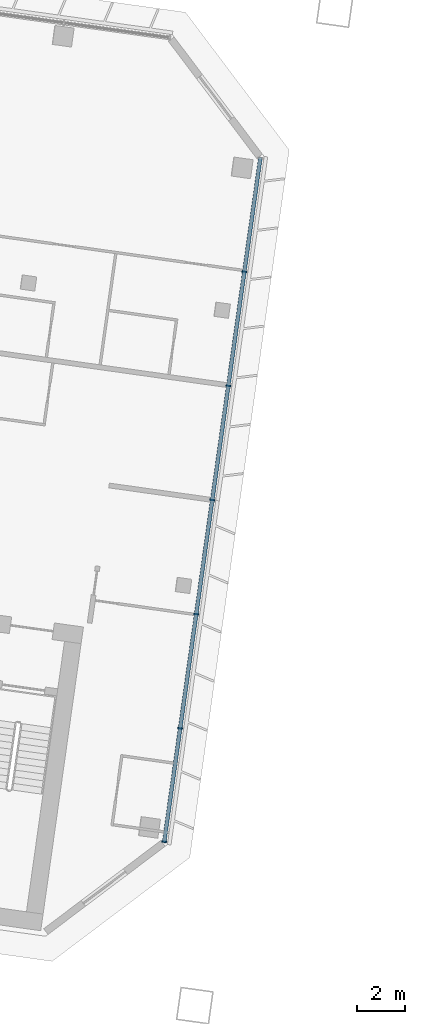
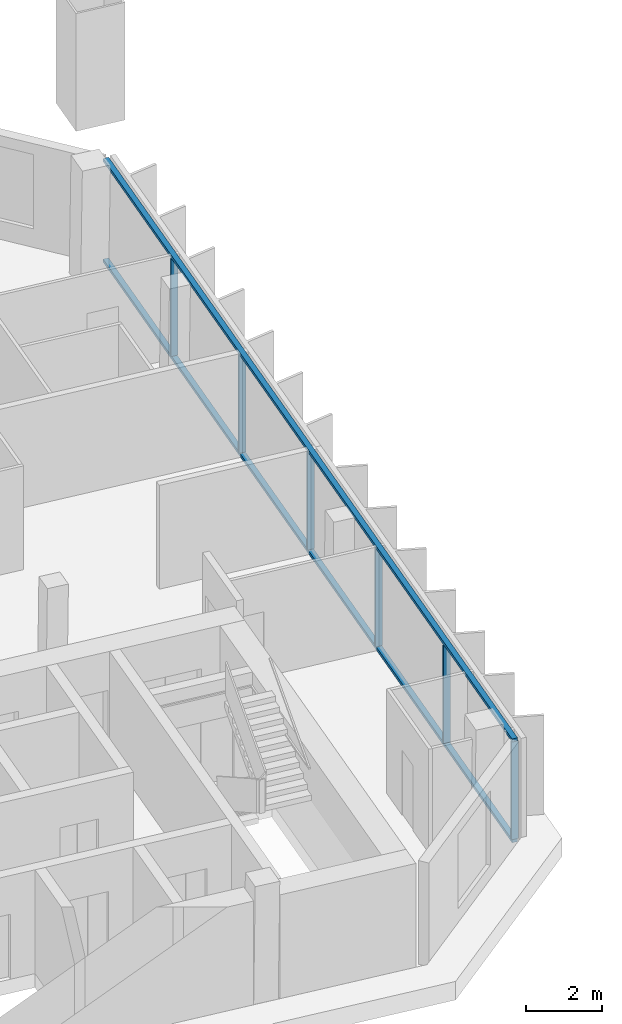
# One storey, part 7 of 31: 8 members, 1 element without a shape of its own.
"""IFC4 building model written with IfcOpenShell, lengths in metres."""

import ifcopenshell
import ifcopenshell.guid

model = None  # the IFC model being written
_history = None  # IfcOwnerHistory: only IFC2X3 demands one
_inside = {}  # id of a spatial element -> (the spatial element, [elements in it])
_under = {}  # id of a project, library or spatial element -> (it, [spatial elements below it])
_declared = {}  # id of a project -> (the project, [libraries it declares])
_typed = {}  # id of a type object -> (the type object, [elements of that type])
_made_of = {}  # id of a material, layer set ... -> (it, [elements and type objects made of it])


def new_model(schema):
    """Start an empty IFC model of exactly this schema.

    Asked for "IFC4X3", IfcOpenShell would pick the latest addendum, in which some entities
    have other attributes; the version numbers below select the first issue.
    IFC2X3 requires an IfcOwnerHistory on every rooted entity: one is made here for all.
    """
    global model, _history
    if schema == "IFC4X3":
        model = ifcopenshell.file(schema_version=(4, 3, 0, 0))
    else:
        model = ifcopenshell.file(schema=schema)
    _inside.clear()
    _under.clear()
    _declared.clear()
    _typed.clear()
    _made_of.clear()
    _history = None
    if model.schema == "IFC2X3":
        org = make("IfcOrganization", Name="unknown")
        user = make(
            "IfcPersonAndOrganization",
            ThePerson=make("IfcPerson", FamilyName="unknown"),
            TheOrganization=org,
        )
        app = make(
            "IfcApplication",
            ApplicationDeveloper=org,
            Version="unknown",
            ApplicationFullName="unknown",
            ApplicationIdentifier="unknown",
        )
        _history = make(
            "IfcOwnerHistory",
            OwningUser=user,
            OwningApplication=app,
            ChangeAction="ADDED",
            CreationDate=0,
        )
    return model


def make(cls, **values):
    """One entity of the class cls with the attributes given. An attribute that is None is left unset."""
    return model.create_entity(
        cls, **{name: value for name, value in values.items() if value is not None}
    )


def rooted(cls, **values):
    """An entity with a GlobalId (a new one), such as an element, a storey or a relation."""
    return make(cls, GlobalId=ifcopenshell.guid.new(), OwnerHistory=_history, **values)


def si_unit(unit_type, name, prefix=None):
    """IfcSIUnit, for example si_unit("LENGTHUNIT", "METRE", prefix="MILLI")."""
    return make("IfcSIUnit", UnitType=unit_type, Prefix=prefix, Name=name)


def assignment(units):
    """IfcUnitAssignment: the units of a project."""
    return None if units is None else make("IfcUnitAssignment", Units=units)


def point(xyz):
    """IfcCartesianPoint."""
    return None if xyz is None else make("IfcCartesianPoint", Coordinates=xyz)


def direction(xyz):
    """IfcDirection."""
    return None if xyz is None else make("IfcDirection", DirectionRatios=xyz)


def frame(location, z_axis=None, x_axis=None):
    """IfcAxis2Placement3D, a coordinate frame: its origin and axes. An axis left out is left unset."""
    return make(
        "IfcAxis2Placement3D",
        Location=point(location),
        Axis=direction(z_axis),
        RefDirection=direction(x_axis),
    )


def frame_2d(location, x_axis=None):
    """IfcAxis2Placement2D, a coordinate frame in the plane: its origin and x axis."""
    return make(
        "IfcAxis2Placement2D", Location=point(location), RefDirection=direction(x_axis)
    )


def origin():
    """The frame at (0, 0, 0) with its axes left unset."""
    return frame((0.0, 0.0, 0.0))


def origin_2d():
    """The frame at (0, 0) in the plane with its x axis left unset."""
    return frame_2d((0.0, 0.0))


def place(relative_to, where):
    """IfcLocalPlacement: puts the frame where relative to a parent placement (None: the world)."""
    return make(
        "IfcLocalPlacement", PlacementRelTo=relative_to, RelativePlacement=where
    )


def context(
    kind, dimensions, precision=None, world=None, true_north=None, identifier=None
):
    """IfcGeometricRepresentationContext, for example the 3D "Model" context."""
    return make(
        "IfcGeometricRepresentationContext",
        ContextIdentifier=identifier,
        ContextType=kind,
        CoordinateSpaceDimension=dimensions,
        Precision=precision,
        WorldCoordinateSystem=world,
        TrueNorth=true_north,
    )


def subcontext(parent, identifier, kind, view, scale=None):
    """IfcGeometricRepresentationSubContext, for example "Body" below "Model"."""
    return make(
        "IfcGeometricRepresentationSubContext",
        ContextIdentifier=identifier,
        ContextType=kind,
        ParentContext=parent,
        TargetScale=scale,
        TargetView=view,
    )


def project(units=None, contexts=None):
    """IfcProject with its units and contexts."""
    return rooted(
        "IfcProject",
        Name="project",
        RepresentationContexts=contexts,
        UnitsInContext=assignment(units),
    )


def spatial(cls, under=None, at=None, **own):
    """A site, building, storey or space (cls), placed at a placement, below another one or the project."""
    s = rooted(cls, ObjectPlacement=at, **own)
    if under is not None:
        _under.setdefault(under.id(), (under, []))[1].append(s)
    return s


def profile(cls, at=None, kind="AREA", **sizes):
    """A parametric profile (cls). Its sizes go by their IFC names, for example OverallWidth=200.0."""
    return make(cls, ProfileType=kind, Position=at, **sizes)


def rectangle(**sizes):
    """IfcRectangleProfileDef."""
    return profile("IfcRectangleProfileDef", **sizes)


def extrude(swept, where, along, depth):
    """IfcExtrudedAreaSolid: the profile swept, set in the frame where, extruded along a direction by depth."""
    return make(
        "IfcExtrudedAreaSolid",
        SweptArea=swept,
        Position=where,
        ExtrudedDirection=direction(along),
        Depth=depth,
    )


def shape(context_of_items, identifier, shape_type, items):
    """IfcShapeRepresentation: the items that make up one representation, for example the "Body"."""
    return make(
        "IfcShapeRepresentation",
        ContextOfItems=context_of_items,
        RepresentationIdentifier=identifier,
        RepresentationType=shape_type,
        Items=items,
    )


def material(Name=None, Category=None):
    """IfcMaterial."""
    return make("IfcMaterial", Name=Name, Category=Category)


def material_profile(
    of_material, cross_section, Name=None, Category=None, Priority=None
):
    """IfcMaterialProfile: a cross section and its material."""
    return make(
        "IfcMaterialProfile",
        Name=Name,
        Material=of_material,
        Profile=cross_section,
        Priority=Priority,
        Category=Category,
    )


def profile_set(profiles, Name=None, composite=None):
    """IfcMaterialProfileSet."""
    return make(
        "IfcMaterialProfileSet",
        Name=Name,
        MaterialProfiles=profiles,
        CompositeProfile=composite,
    )


def made_of(thing, what):
    """Note that an element or type object is made of a material, layer set ...; save() writes the relation."""
    if what is not None:
        _made_of.setdefault(what.id(), (what, []))[1].append(thing)
    return thing


def type_object(cls, material=None, **own):
    """A type object (cls), such as IfcWallType, which elements share."""
    return made_of(rooted(cls, **own), material)


def element(
    cls,
    number,
    at=None,
    inside=None,
    cuts=None,
    type_object=None,
    material=None,
    context=None,
    identifier="Body",
    shape_type=None,
    held_by="IfcProductDefinitionShape",
    body=None,
    shapes=None,
    **own,
):
    """One element of the class cls, such as IfcWall. Its Tag is "e" and its number.

    at: its placement. inside: the storey or other place that contains it. cuts: it is an
    opening in that element (IfcRelVoidsElement). A single representation is given by context,
    identifier, shape_type and body (its items); several are given by shapes. held_by: the class
    of the entity that holds the representations. save() writes the other relations.
    """
    e = rooted(cls, Tag="e%d" % number, ObjectPlacement=at, **own)
    if body is not None:
        shapes = [shape(context, identifier, shape_type, body)]
    if shapes is not None:
        e.Representation = make(held_by, Representations=shapes)
    if inside is not None:
        _inside.setdefault(inside.id(), (inside, []))[1].append(e)
    if cuts is not None:
        rooted(
            "IfcRelVoidsElement", RelatingBuildingElement=cuts, RelatedOpeningElement=e
        )
    if type_object is not None:
        _typed.setdefault(type_object.id(), (type_object, []))[1].append(e)
    return made_of(e, material)


def aggregate(whole, parts):
    """IfcRelAggregates: a whole, such as a stair, and the parts it consists of."""
    return rooted("IfcRelAggregates", RelatingObject=whole, RelatedObjects=parts)


def save(model, path):
    """Write the relations noted so far, then the file.

    IfcRelAggregates (storeys below a building ...), IfcRelContainedInSpatialStructure (elements
    in a storey), IfcRelDefinesByType, IfcRelAssociatesMaterial and IfcRelDeclares: one each for
    every whole, place, type object, material and project.
    """
    for whole, parts in _under.values():
        aggregate(whole, parts)
    for where, things in _inside.values():
        rooted(
            "IfcRelContainedInSpatialStructure",
            RelatedElements=things,
            RelatingStructure=where,
        )
    for kind, things in _typed.values():
        rooted("IfcRelDefinesByType", RelatedObjects=things, RelatingType=kind)
    for what, things in _made_of.values():
        rooted("IfcRelAssociatesMaterial", RelatedObjects=things, RelatingMaterial=what)
    for by, libraries in _declared.values():
        rooted("IfcRelDeclares", RelatingContext=by, RelatedDefinitions=libraries)
    model.write(path)


model = new_model("IFC4")

# Units and contexts
model_context = context("Model", 3, precision=1e-05, world=origin(), true_north=direction((0.0, 1.0)))
body_context = subcontext(model_context, "Body", "Model", "MODEL_VIEW")
ifc_project = project(units=[si_unit("LENGTHUNIT", "METRE"), si_unit("AREAUNIT", "SQUARE_METRE"), si_unit("VOLUMEUNIT", "CUBIC_METRE"), si_unit("PLANEANGLEUNIT", "RADIAN"), si_unit("MASSUNIT", "GRAM", prefix="KILO")], contexts=[model_context])

# Site, building, storey
site_placement = place(None, origin())
site = spatial("IfcSite", under=ifc_project, at=site_placement, CompositionType="ELEMENT")
building_placement = place(site_placement, origin())
building = spatial("IfcBuilding", under=site, at=building_placement, Name="Mirante Cascada Hotel Towers", CompositionType="ELEMENT")
storey_placement = place(building_placement, frame((0.0, 0.0, 157.4)))
storey = spatial("IfcBuildingStorey", under=building, at=storey_placement, Name="L36", CompositionType="ELEMENT", Elevation=157.4)

# Curtain wall, members
ifc_material_1 = material(Name="Aluminium mullion and transom frame with clear laminated glass", Category="aluminium")
curtain_wall_type = type_object("IfcCurtainWallType", Name="End ribbon curtain wall ECW2", PredefinedType="NOTDEFINED", material=ifc_material_1)
curtain_wall_placement = place(storey_placement, origin())
curtain_wall = element("IfcCurtainWall", 1, at=curtain_wall_placement, inside=storey, type_object=curtain_wall_type, Name="Inner end wall T1 L36", PredefinedType="NOTDEFINED")
ifc_material_2 = material(Name="Anodised aluminium extrusion", Category="aluminium")
ifc_material_profile_1 = material_profile(ifc_material_2, rectangle(XDim=0.2, YDim=0.065, at=origin_2d()), Name="ECW2 MULLION 65x200")
ifc_profile_set_1 = profile_set([ifc_material_profile_1], Name="Anodised aluminium extrusion")
member_type_1 = type_object("IfcMemberType", Name="ECW2 mullion 65x200", PredefinedType="MULLION", material=ifc_profile_set_1)
member_1_placement = place(storey_placement, frame((-28.7736, 7.5475, 0.1), z_axis=(0.0, 0.0, 1.0), x_axis=(0.9902681, -0.1391731, 0.0)))
member_1 = element("IfcMember", 2, at=member_1_placement, type_object=member_type_1, Name="ECW2 mullion 2", PredefinedType="MULLION", context=body_context, shape_type="SweptSolid", body=[
    extrude(rectangle(XDim=0.2, YDim=0.065, at=origin_2d()), origin(), (0.0, 0.0, 1.0), 3.15),
])
member_2_placement = place(storey_placement, frame((-29.4434, 2.7817, 0.1), z_axis=(0.0, 0.0, 1.0), x_axis=(0.9902681, -0.1391731, 0.0)))
member_2 = element("IfcMember", 3, at=member_2_placement, type_object=member_type_1, Name="ECW2 mullion 3", PredefinedType="MULLION", context=body_context, shape_type="SweptSolid", body=[
    extrude(rectangle(XDim=0.2, YDim=0.065, at=origin_2d()), origin(), (0.0, 0.0, 1.0), 3.15),
])
member_3_placement = place(storey_placement, frame((-30.1131, -1.9841, 0.1), z_axis=(0.0, 0.0, 1.0), x_axis=(0.9902681, -0.1391731, 0.0)))
member_3 = element("IfcMember", 4, at=member_3_placement, type_object=member_type_1, Name="ECW2 mullion 4", PredefinedType="MULLION", context=body_context, shape_type="SweptSolid", body=[
    extrude(rectangle(XDim=0.2, YDim=0.065, at=origin_2d()), origin(), (0.0, 0.0, 1.0), 3.15),
])
member_4_placement = place(storey_placement, frame((-30.7829, -6.7499, 0.1), z_axis=(0.0, 0.0, 1.0), x_axis=(0.9902681, -0.1391731, 0.0)))
member_4 = element("IfcMember", 5, at=member_4_placement, type_object=member_type_1, Name="ECW2 mullion 5", PredefinedType="MULLION", context=body_context, shape_type="SweptSolid", body=[
    extrude(rectangle(XDim=0.2, YDim=0.065, at=origin_2d()), origin(), (0.0, 0.0, 1.0), 3.15),
])
member_5_placement = place(storey_placement, frame((-31.4527, -11.5157, 0.1), z_axis=(0.0, 0.0, 1.0), x_axis=(0.9902681, -0.1391731, 0.0)))
member_5 = element("IfcMember", 6, at=member_5_placement, type_object=member_type_1, Name="ECW2 mullion 6", PredefinedType="MULLION", context=body_context, shape_type="SweptSolid", body=[
    extrude(rectangle(XDim=0.2, YDim=0.065, at=origin_2d()), origin(), (0.0, 0.0, 1.0), 3.15),
])
member_6_placement = place(storey_placement, frame((-32.118, -16.2493, 0.1), z_axis=(0.0, 0.0, 1.0), x_axis=(0.9902681, -0.1391731, 0.0)))
member_6 = element("IfcMember", 7, at=member_6_placement, type_object=member_type_1, Name="ECW2 mullion 7", PredefinedType="MULLION", context=body_context, shape_type="SweptSolid", body=[
    extrude(rectangle(XDim=0.2, YDim=0.065, at=origin_2d()), origin(), (0.0, 0.0, 1.0), 3.15),
])
ifc_material_3 = material(Name="Anodised aluminium extrusion", Category="aluminium")
ifc_material_profile_2 = material_profile(ifc_material_3, rectangle(XDim=0.16, YDim=0.1, at=origin_2d()), Name="ECW2 TRANSOM 100x160")
ifc_profile_set_2 = profile_set([ifc_material_profile_2], Name="Anodised aluminium extrusion")
member_type_2 = type_object("IfcMemberType", Name="ECW2 transom 100x160", PredefinedType="USERDEFINED", material=ifc_profile_set_2)
member_7_placement = place(storey_placement, frame((-28.1038, 12.3133, 0.05), z_axis=(-0.1391718, -0.9902682, 0.0), x_axis=(0.9902682, -0.1391718, 0.0)))
member_7 = element("IfcMember", 8, at=member_7_placement, type_object=member_type_2, Name="ECW2 sill transom", ObjectType="TRANSOM", PredefinedType="USERDEFINED", context=body_context, shape_type="SweptSolid", body=[
    extrude(rectangle(XDim=0.16, YDim=0.1, at=origin_2d()), origin(), (0.0, 0.0, 1.0), 28.8758),
])
member_8_placement = place(storey_placement, frame((-28.1038, 12.3133, 3.3), z_axis=(-0.1391718, -0.9902682, 0.0), x_axis=(0.9902682, -0.1391718, 0.0)))
member_8 = element("IfcMember", 9, at=member_8_placement, type_object=member_type_2, Name="ECW2 head transom", ObjectType="TRANSOM", PredefinedType="USERDEFINED", context=body_context, shape_type="SweptSolid", body=[
    extrude(rectangle(XDim=0.16, YDim=0.1, at=origin_2d()), origin(), (0.0, 0.0, 1.0), 28.8758),
])
aggregate(curtain_wall, [member_7, member_8, member_1, member_2, member_3, member_4, member_5, member_6])

save(model, "model.ifc")
